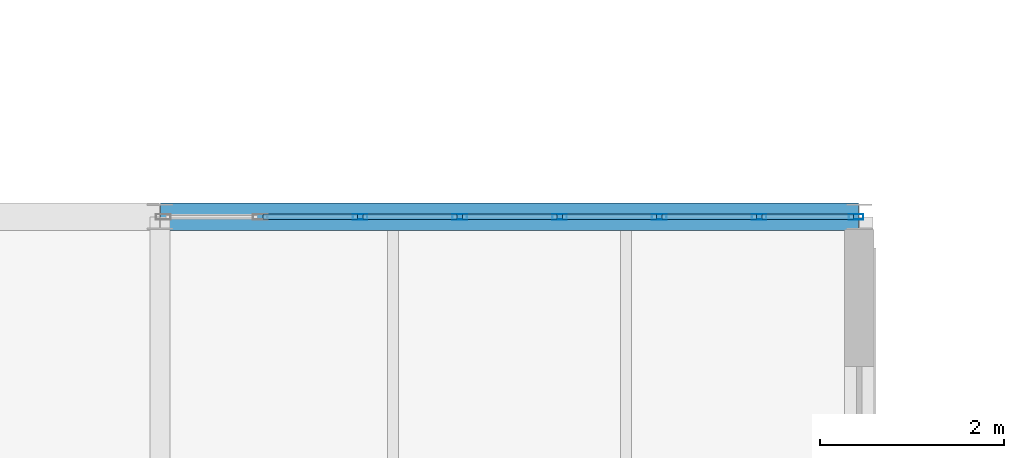
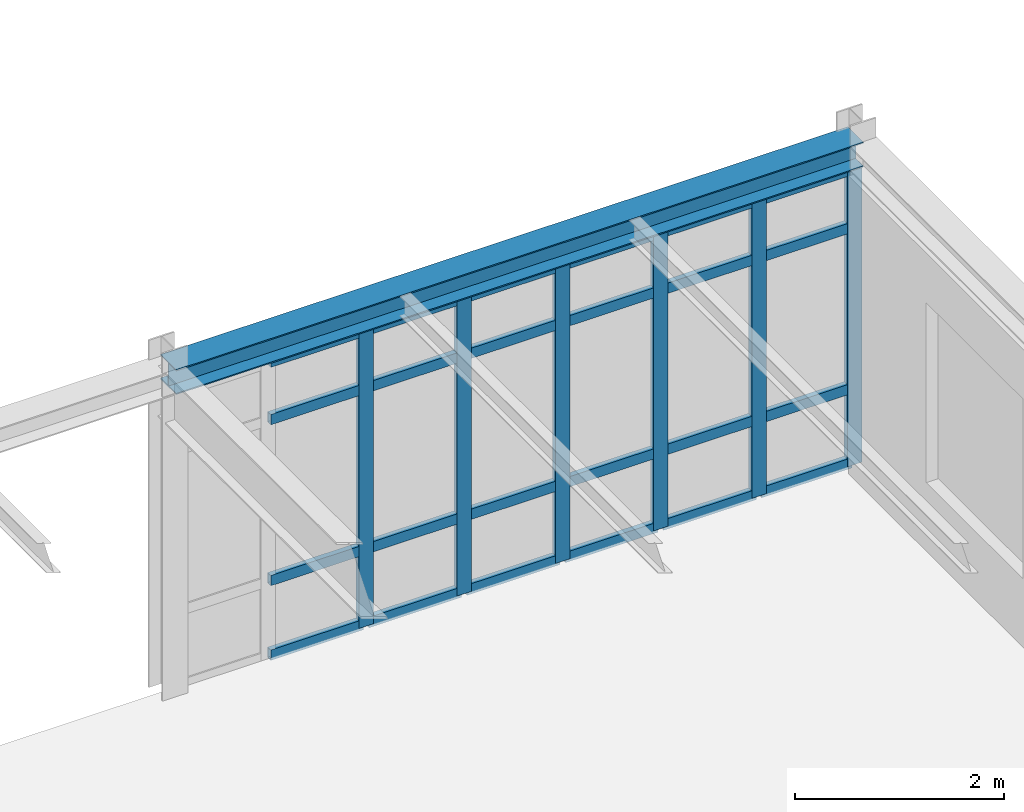
# One storey, part 38 of 165: 30 members, 1 beam, 1 element without a shape of its own.
"""IFC4 building model written with IfcOpenShell, lengths in metres."""

import ifcopenshell
import ifcopenshell.guid

model = None  # the IFC model being written
_history = None  # IfcOwnerHistory: only IFC2X3 demands one
_inside = {}  # id of a spatial element -> (the spatial element, [elements in it])
_under = {}  # id of a project, library or spatial element -> (it, [spatial elements below it])
_declared = {}  # id of a project -> (the project, [libraries it declares])
_typed = {}  # id of a type object -> (the type object, [elements of that type])
_made_of = {}  # id of a material, layer set ... -> (it, [elements and type objects made of it])


def new_model(schema):
    """Start an empty IFC model of exactly this schema.

    Asked for "IFC4X3", IfcOpenShell would pick the latest addendum, in which some entities
    have other attributes; the version numbers below select the first issue.
    IFC2X3 requires an IfcOwnerHistory on every rooted entity: one is made here for all.
    """
    global model, _history
    if schema == "IFC4X3":
        model = ifcopenshell.file(schema_version=(4, 3, 0, 0))
    else:
        model = ifcopenshell.file(schema=schema)
    _inside.clear()
    _under.clear()
    _declared.clear()
    _typed.clear()
    _made_of.clear()
    _history = None
    if model.schema == "IFC2X3":
        org = make("IfcOrganization", Name="unknown")
        user = make(
            "IfcPersonAndOrganization",
            ThePerson=make("IfcPerson", FamilyName="unknown"),
            TheOrganization=org,
        )
        app = make(
            "IfcApplication",
            ApplicationDeveloper=org,
            Version="unknown",
            ApplicationFullName="unknown",
            ApplicationIdentifier="unknown",
        )
        _history = make(
            "IfcOwnerHistory",
            OwningUser=user,
            OwningApplication=app,
            ChangeAction="ADDED",
            CreationDate=0,
        )
    return model


def make(cls, **values):
    """One entity of the class cls with the attributes given. An attribute that is None is left unset."""
    return model.create_entity(
        cls, **{name: value for name, value in values.items() if value is not None}
    )


def rooted(cls, **values):
    """An entity with a GlobalId (a new one), such as an element, a storey or a relation."""
    return make(cls, GlobalId=ifcopenshell.guid.new(), OwnerHistory=_history, **values)


def si_unit(unit_type, name, prefix=None):
    """IfcSIUnit, for example si_unit("LENGTHUNIT", "METRE", prefix="MILLI")."""
    return make("IfcSIUnit", UnitType=unit_type, Prefix=prefix, Name=name)


def assignment(units):
    """IfcUnitAssignment: the units of a project."""
    return None if units is None else make("IfcUnitAssignment", Units=units)


def point(xyz):
    """IfcCartesianPoint."""
    return None if xyz is None else make("IfcCartesianPoint", Coordinates=xyz)


def direction(xyz):
    """IfcDirection."""
    return None if xyz is None else make("IfcDirection", DirectionRatios=xyz)


def frame(location, z_axis=None, x_axis=None):
    """IfcAxis2Placement3D, a coordinate frame: its origin and axes. An axis left out is left unset."""
    return make(
        "IfcAxis2Placement3D",
        Location=point(location),
        Axis=direction(z_axis),
        RefDirection=direction(x_axis),
    )


def frame_2d(location, x_axis=None):
    """IfcAxis2Placement2D, a coordinate frame in the plane: its origin and x axis."""
    return make(
        "IfcAxis2Placement2D", Location=point(location), RefDirection=direction(x_axis)
    )


def origin():
    """The frame at (0, 0, 0) with its axes left unset."""
    return frame((0.0, 0.0, 0.0))


def origin_2d():
    """The frame at (0, 0) in the plane with its x axis left unset."""
    return frame_2d((0.0, 0.0))


def place(relative_to, where):
    """IfcLocalPlacement: puts the frame where relative to a parent placement (None: the world)."""
    return make(
        "IfcLocalPlacement", PlacementRelTo=relative_to, RelativePlacement=where
    )


def context(
    kind, dimensions, precision=None, world=None, true_north=None, identifier=None
):
    """IfcGeometricRepresentationContext, for example the 3D "Model" context."""
    return make(
        "IfcGeometricRepresentationContext",
        ContextIdentifier=identifier,
        ContextType=kind,
        CoordinateSpaceDimension=dimensions,
        Precision=precision,
        WorldCoordinateSystem=world,
        TrueNorth=true_north,
    )


def subcontext(parent, identifier, kind, view, scale=None):
    """IfcGeometricRepresentationSubContext, for example "Body" below "Model"."""
    return make(
        "IfcGeometricRepresentationSubContext",
        ContextIdentifier=identifier,
        ContextType=kind,
        ParentContext=parent,
        TargetScale=scale,
        TargetView=view,
    )


def project(units=None, contexts=None):
    """IfcProject with its units and contexts."""
    return rooted(
        "IfcProject",
        Name="project",
        RepresentationContexts=contexts,
        UnitsInContext=assignment(units),
    )


def spatial(cls, under=None, at=None, **own):
    """A site, building, storey or space (cls), placed at a placement, below another one or the project."""
    s = rooted(cls, ObjectPlacement=at, **own)
    if under is not None:
        _under.setdefault(under.id(), (under, []))[1].append(s)
    return s


def profile(cls, at=None, kind="AREA", **sizes):
    """A parametric profile (cls). Its sizes go by their IFC names, for example OverallWidth=200.0."""
    return make(cls, ProfileType=kind, Position=at, **sizes)


def hollow_rectangle(**sizes):
    """IfcRectangleHollowProfileDef."""
    return profile("IfcRectangleHollowProfileDef", **sizes)


def i_section(**sizes):
    """IfcIShapeProfileDef."""
    return profile("IfcIShapeProfileDef", **sizes)


def extrude(swept, where, along, depth):
    """IfcExtrudedAreaSolid: the profile swept, set in the frame where, extruded along a direction by depth."""
    return make(
        "IfcExtrudedAreaSolid",
        SweptArea=swept,
        Position=where,
        ExtrudedDirection=direction(along),
        Depth=depth,
    )


def shape(context_of_items, identifier, shape_type, items):
    """IfcShapeRepresentation: the items that make up one representation, for example the "Body"."""
    return make(
        "IfcShapeRepresentation",
        ContextOfItems=context_of_items,
        RepresentationIdentifier=identifier,
        RepresentationType=shape_type,
        Items=items,
    )


def material(Name=None, Category=None):
    """IfcMaterial."""
    return make("IfcMaterial", Name=Name, Category=Category)


def layer(
    of_material, thickness, ventilated=None, Name=None, Category=None, Priority=None
):
    """IfcMaterialLayer: one layer of a wall or slab, of a material (None: an air gap)."""
    return make(
        "IfcMaterialLayer",
        Material=of_material,
        LayerThickness=thickness,
        IsVentilated=ventilated,
        Name=Name,
        Category=Category,
        Priority=Priority,
    )


def layer_set(layers, Name=None):
    """IfcMaterialLayerSet."""
    return make("IfcMaterialLayerSet", MaterialLayers=layers, LayerSetName=Name)


def material_profile(
    of_material, cross_section, Name=None, Category=None, Priority=None
):
    """IfcMaterialProfile: a cross section and its material."""
    return make(
        "IfcMaterialProfile",
        Name=Name,
        Material=of_material,
        Profile=cross_section,
        Priority=Priority,
        Category=Category,
    )


def profile_set(profiles, Name=None, composite=None):
    """IfcMaterialProfileSet."""
    return make(
        "IfcMaterialProfileSet",
        Name=Name,
        MaterialProfiles=profiles,
        CompositeProfile=composite,
    )


def made_of(thing, what):
    """Note that an element or type object is made of a material, layer set ...; save() writes the relation."""
    if what is not None:
        _made_of.setdefault(what.id(), (what, []))[1].append(thing)
    return thing


def type_object(cls, material=None, **own):
    """A type object (cls), such as IfcWallType, which elements share."""
    return made_of(rooted(cls, **own), material)


def element(
    cls,
    number,
    at=None,
    inside=None,
    cuts=None,
    type_object=None,
    material=None,
    context=None,
    identifier="Body",
    shape_type=None,
    held_by="IfcProductDefinitionShape",
    body=None,
    shapes=None,
    **own,
):
    """One element of the class cls, such as IfcWall. Its Tag is "e" and its number.

    at: its placement. inside: the storey or other place that contains it. cuts: it is an
    opening in that element (IfcRelVoidsElement). A single representation is given by context,
    identifier, shape_type and body (its items); several are given by shapes. held_by: the class
    of the entity that holds the representations. save() writes the other relations.
    """
    e = rooted(cls, Tag="e%d" % number, ObjectPlacement=at, **own)
    if body is not None:
        shapes = [shape(context, identifier, shape_type, body)]
    if shapes is not None:
        e.Representation = make(held_by, Representations=shapes)
    if inside is not None:
        _inside.setdefault(inside.id(), (inside, []))[1].append(e)
    if cuts is not None:
        rooted(
            "IfcRelVoidsElement", RelatingBuildingElement=cuts, RelatedOpeningElement=e
        )
    if type_object is not None:
        _typed.setdefault(type_object.id(), (type_object, []))[1].append(e)
    return made_of(e, material)


def aggregate(whole, parts):
    """IfcRelAggregates: a whole, such as a stair, and the parts it consists of."""
    return rooted("IfcRelAggregates", RelatingObject=whole, RelatedObjects=parts)


def save(model, path):
    """Write the relations noted so far, then the file.

    IfcRelAggregates (storeys below a building ...), IfcRelContainedInSpatialStructure (elements
    in a storey), IfcRelDefinesByType, IfcRelAssociatesMaterial and IfcRelDeclares: one each for
    every whole, place, type object, material and project.
    """
    for whole, parts in _under.values():
        aggregate(whole, parts)
    for where, things in _inside.values():
        rooted(
            "IfcRelContainedInSpatialStructure",
            RelatedElements=things,
            RelatingStructure=where,
        )
    for kind, things in _typed.values():
        rooted("IfcRelDefinesByType", RelatedObjects=things, RelatingType=kind)
    for what, things in _made_of.values():
        rooted("IfcRelAssociatesMaterial", RelatedObjects=things, RelatingMaterial=what)
    for by, libraries in _declared.values():
        rooted("IfcRelDeclares", RelatingContext=by, RelatedDefinitions=libraries)
    model.write(path)


model = new_model("IFC4")

# Units and contexts
model_context = context("Model", 3, precision=1e-05, world=origin(), true_north=direction((0.0, 1.0)))
body_context = subcontext(model_context, "Body", "Model", "MODEL_VIEW")
ifc_project = project(units=[si_unit("LENGTHUNIT", "METRE"), si_unit("AREAUNIT", "SQUARE_METRE"), si_unit("VOLUMEUNIT", "CUBIC_METRE"), si_unit("PLANEANGLEUNIT", "RADIAN"), si_unit("MASSUNIT", "GRAM", prefix="KILO")], contexts=[model_context])

# Site, building, storey
site_placement = place(None, origin())
site = spatial("IfcSite", under=ifc_project, at=site_placement, CompositionType="ELEMENT")
building_placement = place(site_placement, origin())
building = spatial("IfcBuilding", under=site, at=building_placement, Name="Montecoro Central Library", CompositionType="ELEMENT")
storey_placement = place(building_placement, frame((0.0, 0.0, 5.10009765625)))
storey = spatial("IfcBuildingStorey", under=building, at=storey_placement, Name="L01", CompositionType="ELEMENT", Elevation=5.10009765625)

# Beam
ifc_material_1 = material(Name="Steel S355", Category="steel")
ifc_material_profile_1 = material_profile(ifc_material_1, i_section(OverallWidth=0.300048828125, OverallDepth=0.2900390625, WebThickness=0.008544921875, FlangeThickness=0.013916015625, at=origin_2d()), Name="HEA 300")
ifc_profile_set_1 = profile_set([ifc_material_profile_1], Name="Steel S355")
beam_type = type_object("IfcBeamType", Name="BM-SP-HEA300", PredefinedType="SPANDREL", material=ifc_profile_set_1)
beam_placement = place(storey_placement, frame((35.405029296875, 35.39990234375, 3.679931640625), z_axis=(1.0, 0.0, 0.0), x_axis=(0.0, 1.0, 0.0)))
element("IfcBeam", 1, at=beam_placement, inside=storey, type_object=beam_type, Name="V3-L01-BX-56-E", PredefinedType="SPANDREL", context=body_context, shape_type="SweptSolid", body=[
    extrude(i_section(OverallWidth=0.300048828125, OverallDepth=0.2900390625, WebThickness=0.008544921875, FlangeThickness=0.013916015625, at=origin_2d()), origin(), (0.0, 0.0, 1.0), 7.590087890625),
])

# Curtain wall, members
ifc_material_2 = material(Name="Bronze-anodised aluminium and low-E glazing", Category="aluminium")
ifc_layer = layer(ifc_material_2, 0.159912109375)
ifc_layer_set = layer_set([ifc_layer], Name="Bronze-anodised aluminium and low-E glazing")
curtain_wall_type = type_object("IfcCurtainWallType", Name="CWT-031", PredefinedType="NOTDEFINED", material=ifc_layer_set)
curtain_wall_placement = place(storey_placement, origin())
curtain_wall = element("IfcCurtainWall", 2, at=curtain_wall_placement, inside=storey, type_object=curtain_wall_type, Name="V3-L01-CW-N4", PredefinedType="NOTDEFINED")
ifc_material_3 = material(Name="Bronze-anodised aluminium", Category="aluminium")
ifc_material_profile_2 = material_profile(ifc_material_3, hollow_rectangle(XDim=0.06005859375, YDim=0.159912109375, WallThickness=0.00390625, at=origin_2d()), Name="CWM 160x60x4.0")
ifc_profile_set_2 = profile_set([ifc_material_profile_2], Name="Bronze-anodised aluminium")
member_type_1 = type_object("IfcMemberType", Name="CWM-BRZ-60", PredefinedType="MULLION", material=ifc_profile_set_2)
member_1_placement = place(storey_placement, frame((42.966064453125, 35.39990234375, 0.0), z_axis=(0.0, 0.0, 1.0), x_axis=(0.0, -1.0, 0.0)))
member_1 = element("IfcMember", 3, at=member_1_placement, type_object=member_type_1, Name="CW-031 mullion 1", PredefinedType="MULLION", context=body_context, shape_type="SweptSolid", body=[
    extrude(hollow_rectangle(XDim=0.06005859375, YDim=0.159912109375, WallThickness=0.00390625, at=origin_2d()), origin(), (0.0, 0.0, 1.0), 3.47998046875),
])
member_2_placement = place(storey_placement, frame((41.911376953125, 35.39990234375, 0.0), z_axis=(0.0, 0.0, 1.0), x_axis=(0.0, -1.0, 0.0)))
member_2 = element("IfcMember", 4, at=member_2_placement, type_object=member_type_1, Name="CW-031 mullion 2", PredefinedType="MULLION", context=body_context, shape_type="SweptSolid", body=[
    extrude(hollow_rectangle(XDim=0.06005859375, YDim=0.159912109375, WallThickness=0.00390625, at=origin_2d()), origin(), (0.0, 0.0, 1.0), 3.47998046875),
])
member_3_placement = place(storey_placement, frame((40.826904296875, 35.39990234375, 0.0), z_axis=(0.0, 0.0, 1.0), x_axis=(0.0, -1.0, 0.0)))
member_3 = element("IfcMember", 5, at=member_3_placement, type_object=member_type_1, Name="CW-031 mullion 3", PredefinedType="MULLION", context=body_context, shape_type="SweptSolid", body=[
    extrude(hollow_rectangle(XDim=0.06005859375, YDim=0.159912109375, WallThickness=0.00390625, at=origin_2d()), origin(), (0.0, 0.0, 1.0), 3.47998046875),
])
member_4_placement = place(storey_placement, frame((39.7421875, 35.39990234375, 0.0), z_axis=(0.0, 0.0, 1.0), x_axis=(0.0, -1.0, 0.0)))
member_4 = element("IfcMember", 6, at=member_4_placement, type_object=member_type_1, Name="CW-031 mullion 4", PredefinedType="MULLION", context=body_context, shape_type="SweptSolid", body=[
    extrude(hollow_rectangle(XDim=0.06005859375, YDim=0.159912109375, WallThickness=0.00390625, at=origin_2d()), origin(), (0.0, 0.0, 1.0), 3.47998046875),
])
member_5_placement = place(storey_placement, frame((38.65771484375, 35.39990234375, 0.0), z_axis=(0.0, 0.0, 1.0), x_axis=(0.0, -1.0, 0.0)))
member_5 = element("IfcMember", 7, at=member_5_placement, type_object=member_type_1, Name="CW-031 mullion 5", PredefinedType="MULLION", context=body_context, shape_type="SweptSolid", body=[
    extrude(hollow_rectangle(XDim=0.06005859375, YDim=0.159912109375, WallThickness=0.00390625, at=origin_2d()), origin(), (0.0, 0.0, 1.0), 3.47998046875),
])
member_6_placement = place(storey_placement, frame((37.5732421875, 35.39990234375, 0.0), z_axis=(0.0, 0.0, 1.0), x_axis=(0.0, -1.0, 0.0)))
member_6 = element("IfcMember", 8, at=member_6_placement, type_object=member_type_1, Name="CW-031 mullion 6", PredefinedType="MULLION", context=body_context, shape_type="SweptSolid", body=[
    extrude(hollow_rectangle(XDim=0.06005859375, YDim=0.159912109375, WallThickness=0.00390625, at=origin_2d()), origin(), (0.0, 0.0, 1.0), 3.47998046875),
])
ifc_material_profile_3 = material_profile(ifc_material_3, hollow_rectangle(XDim=0.06005859375, YDim=0.1201171875, WallThickness=0.00390625, at=origin_2d()), Name="CWT 120x60x4.0")
ifc_profile_set_3 = profile_set([ifc_material_profile_3], Name="Bronze-anodised aluminium")
member_type_2 = type_object("IfcMemberType", Name="CWT-BRZ-60", PredefinedType="USERDEFINED", material=ifc_profile_set_3)
member_7_placement = place(storey_placement, frame((42.93603515625, 35.39990234375, 0.02978515625), z_axis=(-1.0, 0.0, 0.0), x_axis=(0.0, -1.0, 0.0)))
member_7 = element("IfcMember", 9, at=member_7_placement, type_object=member_type_2, Name="CW-031 transom 1.1", ObjectType="TRANSOM", PredefinedType="USERDEFINED", context=body_context, shape_type="SweptSolid", body=[
    extrude(hollow_rectangle(XDim=0.06005859375, YDim=0.1201171875, WallThickness=0.00390625, at=origin_2d()), origin(), (0.0, 0.0, 1.0), 0.99462890625),
])
member_8_placement = place(storey_placement, frame((42.93603515625, 35.39990234375, 0.89990234375), z_axis=(-1.0, 0.0, 0.0), x_axis=(0.0, -1.0, 0.0)))
member_8 = element("IfcMember", 10, at=member_8_placement, type_object=member_type_2, Name="CW-031 transom 1.2", ObjectType="TRANSOM", PredefinedType="USERDEFINED", context=body_context, shape_type="SweptSolid", body=[
    extrude(hollow_rectangle(XDim=0.06005859375, YDim=0.1201171875, WallThickness=0.00390625, at=origin_2d()), origin(), (0.0, 0.0, 1.0), 0.99462890625),
])
member_9_placement = place(storey_placement, frame((42.93603515625, 35.39990234375, 2.77978515625), z_axis=(-1.0, 0.0, 0.0), x_axis=(0.0, -1.0, 0.0)))
member_9 = element("IfcMember", 11, at=member_9_placement, type_object=member_type_2, Name="CW-031 transom 1.3", ObjectType="TRANSOM", PredefinedType="USERDEFINED", context=body_context, shape_type="SweptSolid", body=[
    extrude(hollow_rectangle(XDim=0.06005859375, YDim=0.1201171875, WallThickness=0.00390625, at=origin_2d()), origin(), (0.0, 0.0, 1.0), 0.99462890625),
])
member_10_placement = place(storey_placement, frame((42.93603515625, 35.39990234375, 3.449951171875), z_axis=(-1.0, 0.0, 0.0), x_axis=(0.0, -1.0, 0.0)))
member_10 = element("IfcMember", 12, at=member_10_placement, type_object=member_type_2, Name="CW-031 transom 1.4", ObjectType="TRANSOM", PredefinedType="USERDEFINED", context=body_context, shape_type="SweptSolid", body=[
    extrude(hollow_rectangle(XDim=0.06005859375, YDim=0.1201171875, WallThickness=0.00390625, at=origin_2d()), origin(), (0.0, 0.0, 1.0), 0.99462890625),
])
member_11_placement = place(storey_placement, frame((41.88134765625, 35.39990234375, 0.02978515625), z_axis=(-1.0, 0.0, 0.0), x_axis=(0.0, -1.0, 0.0)))
member_11 = element("IfcMember", 13, at=member_11_placement, type_object=member_type_2, Name="CW-031 transom 2.1", ObjectType="TRANSOM", PredefinedType="USERDEFINED", context=body_context, shape_type="SweptSolid", body=[
    extrude(hollow_rectangle(XDim=0.06005859375, YDim=0.1201171875, WallThickness=0.00390625, at=origin_2d()), origin(), (0.0, 0.0, 1.0), 1.0244140625),
])
member_12_placement = place(storey_placement, frame((41.88134765625, 35.39990234375, 0.89990234375), z_axis=(-1.0, 0.0, 0.0), x_axis=(0.0, -1.0, 0.0)))
member_12 = element("IfcMember", 14, at=member_12_placement, type_object=member_type_2, Name="CW-031 transom 2.2", ObjectType="TRANSOM", PredefinedType="USERDEFINED", context=body_context, shape_type="SweptSolid", body=[
    extrude(hollow_rectangle(XDim=0.06005859375, YDim=0.1201171875, WallThickness=0.00390625, at=origin_2d()), origin(), (0.0, 0.0, 1.0), 1.0244140625),
])
member_13_placement = place(storey_placement, frame((41.88134765625, 35.39990234375, 2.77978515625), z_axis=(-1.0, 0.0, 0.0), x_axis=(0.0, -1.0, 0.0)))
member_13 = element("IfcMember", 15, at=member_13_placement, type_object=member_type_2, Name="CW-031 transom 2.3", ObjectType="TRANSOM", PredefinedType="USERDEFINED", context=body_context, shape_type="SweptSolid", body=[
    extrude(hollow_rectangle(XDim=0.06005859375, YDim=0.1201171875, WallThickness=0.00390625, at=origin_2d()), origin(), (0.0, 0.0, 1.0), 1.0244140625),
])
member_14_placement = place(storey_placement, frame((41.88134765625, 35.39990234375, 3.449951171875), z_axis=(-1.0, 0.0, 0.0), x_axis=(0.0, -1.0, 0.0)))
member_14 = element("IfcMember", 16, at=member_14_placement, type_object=member_type_2, Name="CW-031 transom 2.4", ObjectType="TRANSOM", PredefinedType="USERDEFINED", context=body_context, shape_type="SweptSolid", body=[
    extrude(hollow_rectangle(XDim=0.06005859375, YDim=0.1201171875, WallThickness=0.00390625, at=origin_2d()), origin(), (0.0, 0.0, 1.0), 1.0244140625),
])
member_15_placement = place(storey_placement, frame((40.796875, 35.39990234375, 0.02978515625), z_axis=(-1.0, 0.0, 0.0), x_axis=(0.0, -1.0, 0.0)))
member_15 = element("IfcMember", 17, at=member_15_placement, type_object=member_type_2, Name="CW-031 transom 3.1", ObjectType="TRANSOM", PredefinedType="USERDEFINED", context=body_context, shape_type="SweptSolid", body=[
    extrude(hollow_rectangle(XDim=0.06005859375, YDim=0.1201171875, WallThickness=0.00390625, at=origin_2d()), origin(), (0.0, 0.0, 1.0), 1.024658203125),
])
member_16_placement = place(storey_placement, frame((40.796875, 35.39990234375, 0.89990234375), z_axis=(-1.0, 0.0, 0.0), x_axis=(0.0, -1.0, 0.0)))
member_16 = element("IfcMember", 18, at=member_16_placement, type_object=member_type_2, Name="CW-031 transom 3.2", ObjectType="TRANSOM", PredefinedType="USERDEFINED", context=body_context, shape_type="SweptSolid", body=[
    extrude(hollow_rectangle(XDim=0.06005859375, YDim=0.1201171875, WallThickness=0.00390625, at=origin_2d()), origin(), (0.0, 0.0, 1.0), 1.024658203125),
])
member_17_placement = place(storey_placement, frame((40.796875, 35.39990234375, 2.77978515625), z_axis=(-1.0, 0.0, 0.0), x_axis=(0.0, -1.0, 0.0)))
member_17 = element("IfcMember", 19, at=member_17_placement, type_object=member_type_2, Name="CW-031 transom 3.3", ObjectType="TRANSOM", PredefinedType="USERDEFINED", context=body_context, shape_type="SweptSolid", body=[
    extrude(hollow_rectangle(XDim=0.06005859375, YDim=0.1201171875, WallThickness=0.00390625, at=origin_2d()), origin(), (0.0, 0.0, 1.0), 1.024658203125),
])
member_18_placement = place(storey_placement, frame((40.796875, 35.39990234375, 3.449951171875), z_axis=(-1.0, 0.0, 0.0), x_axis=(0.0, -1.0, 0.0)))
member_18 = element("IfcMember", 20, at=member_18_placement, type_object=member_type_2, Name="CW-031 transom 3.4", ObjectType="TRANSOM", PredefinedType="USERDEFINED", context=body_context, shape_type="SweptSolid", body=[
    extrude(hollow_rectangle(XDim=0.06005859375, YDim=0.1201171875, WallThickness=0.00390625, at=origin_2d()), origin(), (0.0, 0.0, 1.0), 1.024658203125),
])
member_19_placement = place(storey_placement, frame((39.71240234375, 35.39990234375, 0.02978515625), z_axis=(-1.0, 0.0, 0.0), x_axis=(0.0, -1.0, 0.0)))
member_19 = element("IfcMember", 21, at=member_19_placement, type_object=member_type_2, Name="CW-031 transom 4.1", ObjectType="TRANSOM", PredefinedType="USERDEFINED", context=body_context, shape_type="SweptSolid", body=[
    extrude(hollow_rectangle(XDim=0.06005859375, YDim=0.1201171875, WallThickness=0.00390625, at=origin_2d()), origin(), (0.0, 0.0, 1.0), 1.024658203125),
])
member_20_placement = place(storey_placement, frame((39.71240234375, 35.39990234375, 0.89990234375), z_axis=(-1.0, 0.0, 0.0), x_axis=(0.0, -1.0, 0.0)))
member_20 = element("IfcMember", 22, at=member_20_placement, type_object=member_type_2, Name="CW-031 transom 4.2", ObjectType="TRANSOM", PredefinedType="USERDEFINED", context=body_context, shape_type="SweptSolid", body=[
    extrude(hollow_rectangle(XDim=0.06005859375, YDim=0.1201171875, WallThickness=0.00390625, at=origin_2d()), origin(), (0.0, 0.0, 1.0), 1.024658203125),
])
member_21_placement = place(storey_placement, frame((39.71240234375, 35.39990234375, 2.77978515625), z_axis=(-1.0, 0.0, 0.0), x_axis=(0.0, -1.0, 0.0)))
member_21 = element("IfcMember", 23, at=member_21_placement, type_object=member_type_2, Name="CW-031 transom 4.3", ObjectType="TRANSOM", PredefinedType="USERDEFINED", context=body_context, shape_type="SweptSolid", body=[
    extrude(hollow_rectangle(XDim=0.06005859375, YDim=0.1201171875, WallThickness=0.00390625, at=origin_2d()), origin(), (0.0, 0.0, 1.0), 1.024658203125),
])
member_22_placement = place(storey_placement, frame((39.71240234375, 35.39990234375, 3.449951171875), z_axis=(-1.0, 0.0, 0.0), x_axis=(0.0, -1.0, 0.0)))
member_22 = element("IfcMember", 24, at=member_22_placement, type_object=member_type_2, Name="CW-031 transom 4.4", ObjectType="TRANSOM", PredefinedType="USERDEFINED", context=body_context, shape_type="SweptSolid", body=[
    extrude(hollow_rectangle(XDim=0.06005859375, YDim=0.1201171875, WallThickness=0.00390625, at=origin_2d()), origin(), (0.0, 0.0, 1.0), 1.024658203125),
])
member_23_placement = place(storey_placement, frame((38.627685546875, 35.39990234375, 0.02978515625), z_axis=(-1.0, 0.0, 0.0), x_axis=(0.0, -1.0, 0.0)))
member_23 = element("IfcMember", 25, at=member_23_placement, type_object=member_type_2, Name="CW-031 transom 5.1", ObjectType="TRANSOM", PredefinedType="USERDEFINED", context=body_context, shape_type="SweptSolid", body=[
    extrude(hollow_rectangle(XDim=0.06005859375, YDim=0.1201171875, WallThickness=0.00390625, at=origin_2d()), origin(), (0.0, 0.0, 1.0), 1.024658203125),
])
member_24_placement = place(storey_placement, frame((38.627685546875, 35.39990234375, 0.89990234375), z_axis=(-1.0, 0.0, 0.0), x_axis=(0.0, -1.0, 0.0)))
member_24 = element("IfcMember", 26, at=member_24_placement, type_object=member_type_2, Name="CW-031 transom 5.2", ObjectType="TRANSOM", PredefinedType="USERDEFINED", context=body_context, shape_type="SweptSolid", body=[
    extrude(hollow_rectangle(XDim=0.06005859375, YDim=0.1201171875, WallThickness=0.00390625, at=origin_2d()), origin(), (0.0, 0.0, 1.0), 1.024658203125),
])
member_25_placement = place(storey_placement, frame((38.627685546875, 35.39990234375, 2.77978515625), z_axis=(-1.0, 0.0, 0.0), x_axis=(0.0, -1.0, 0.0)))
member_25 = element("IfcMember", 27, at=member_25_placement, type_object=member_type_2, Name="CW-031 transom 5.3", ObjectType="TRANSOM", PredefinedType="USERDEFINED", context=body_context, shape_type="SweptSolid", body=[
    extrude(hollow_rectangle(XDim=0.06005859375, YDim=0.1201171875, WallThickness=0.00390625, at=origin_2d()), origin(), (0.0, 0.0, 1.0), 1.024658203125),
])
member_26_placement = place(storey_placement, frame((38.627685546875, 35.39990234375, 3.449951171875), z_axis=(-1.0, 0.0, 0.0), x_axis=(0.0, -1.0, 0.0)))
member_26 = element("IfcMember", 28, at=member_26_placement, type_object=member_type_2, Name="CW-031 transom 5.4", ObjectType="TRANSOM", PredefinedType="USERDEFINED", context=body_context, shape_type="SweptSolid", body=[
    extrude(hollow_rectangle(XDim=0.06005859375, YDim=0.1201171875, WallThickness=0.00390625, at=origin_2d()), origin(), (0.0, 0.0, 1.0), 1.024658203125),
])
member_27_placement = place(storey_placement, frame((37.543212890625, 35.39990234375, 0.02978515625), z_axis=(-1.0, 0.0, 0.0), x_axis=(0.0, -1.0, 0.0)))
member_27 = element("IfcMember", 29, at=member_27_placement, type_object=member_type_2, Name="CW-031 transom 6.1", ObjectType="TRANSOM", PredefinedType="USERDEFINED", context=body_context, shape_type="SweptSolid", body=[
    extrude(hollow_rectangle(XDim=0.06005859375, YDim=0.1201171875, WallThickness=0.00390625, at=origin_2d()), origin(), (0.0, 0.0, 1.0), 1.024658203125),
])
member_28_placement = place(storey_placement, frame((37.543212890625, 35.39990234375, 0.89990234375), z_axis=(-1.0, 0.0, 0.0), x_axis=(0.0, -1.0, 0.0)))
member_28 = element("IfcMember", 30, at=member_28_placement, type_object=member_type_2, Name="CW-031 transom 6.2", ObjectType="TRANSOM", PredefinedType="USERDEFINED", context=body_context, shape_type="SweptSolid", body=[
    extrude(hollow_rectangle(XDim=0.06005859375, YDim=0.1201171875, WallThickness=0.00390625, at=origin_2d()), origin(), (0.0, 0.0, 1.0), 1.024658203125),
])
member_29_placement = place(storey_placement, frame((37.543212890625, 35.39990234375, 2.77978515625), z_axis=(-1.0, 0.0, 0.0), x_axis=(0.0, -1.0, 0.0)))
member_29 = element("IfcMember", 31, at=member_29_placement, type_object=member_type_2, Name="CW-031 transom 6.3", ObjectType="TRANSOM", PredefinedType="USERDEFINED", context=body_context, shape_type="SweptSolid", body=[
    extrude(hollow_rectangle(XDim=0.06005859375, YDim=0.1201171875, WallThickness=0.00390625, at=origin_2d()), origin(), (0.0, 0.0, 1.0), 1.024658203125),
])
member_30_placement = place(storey_placement, frame((37.543212890625, 35.39990234375, 3.449951171875), z_axis=(-1.0, 0.0, 0.0), x_axis=(0.0, -1.0, 0.0)))
member_30 = element("IfcMember", 32, at=member_30_placement, type_object=member_type_2, Name="CW-031 transom 6.4", ObjectType="TRANSOM", PredefinedType="USERDEFINED", context=body_context, shape_type="SweptSolid", body=[
    extrude(hollow_rectangle(XDim=0.06005859375, YDim=0.1201171875, WallThickness=0.00390625, at=origin_2d()), origin(), (0.0, 0.0, 1.0), 1.024658203125),
])
aggregate(curtain_wall, [member_1, member_2, member_3, member_4, member_5, member_6, member_7, member_8, member_9, member_10, member_11, member_12, member_13, member_14, member_15, member_16, member_17, member_18, member_19, member_20, member_21, member_22, member_23, member_24, member_25, member_26, member_27, member_28, member_29, member_30])

save(model, "model.ifc")
